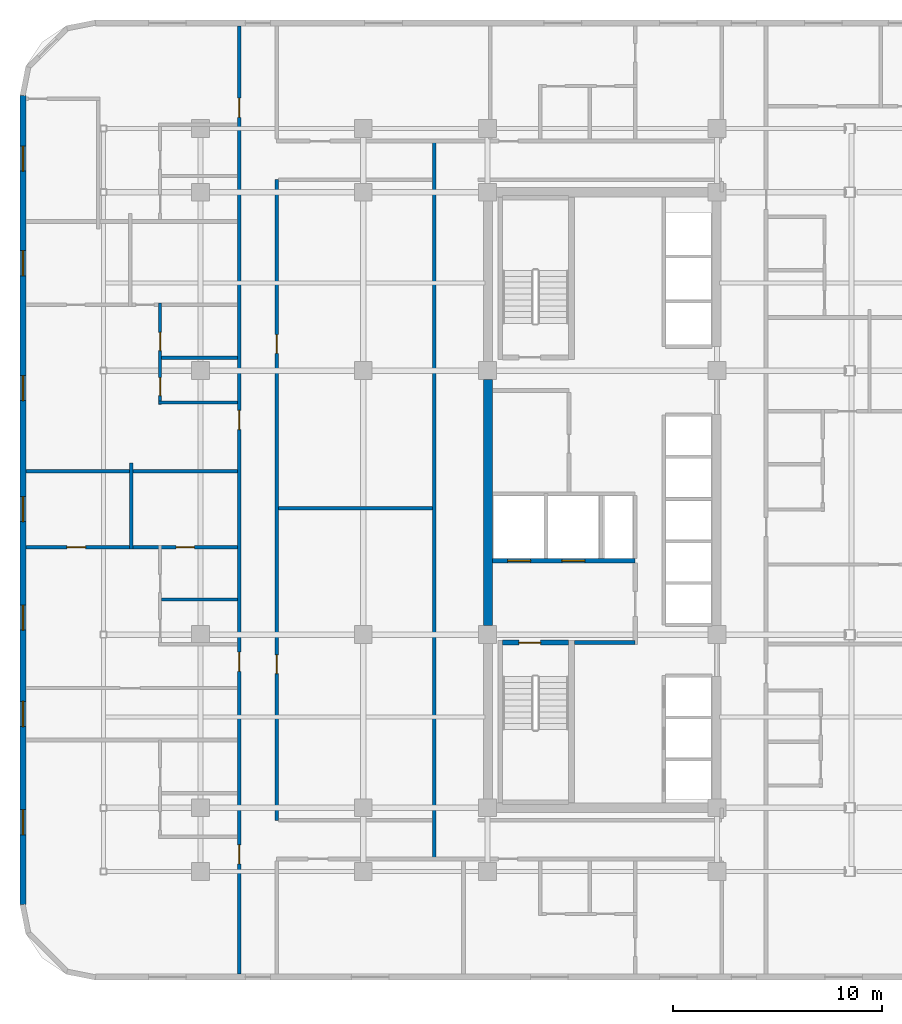
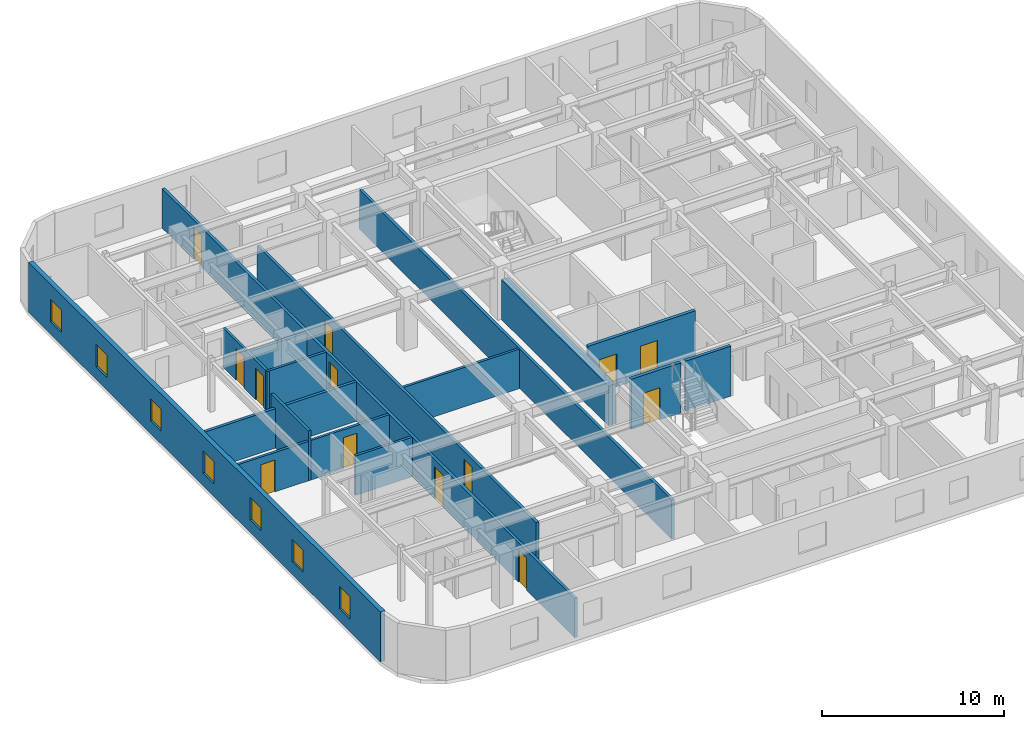
# One storey, part 7 of 12: 16 walls, 13 doors, 7 windows, 20 openings.
"""IFC4 building model written with IfcOpenShell, lengths in metres."""

import ifcopenshell
import ifcopenshell.guid

model = None  # the IFC model being written
_history = None  # IfcOwnerHistory: only IFC2X3 demands one
_inside = {}  # id of a spatial element -> (the spatial element, [elements in it])
_under = {}  # id of a project, library or spatial element -> (it, [spatial elements below it])
_declared = {}  # id of a project -> (the project, [libraries it declares])
_typed = {}  # id of a type object -> (the type object, [elements of that type])
_made_of = {}  # id of a material, layer set ... -> (it, [elements and type objects made of it])


def new_model(schema):
    """Start an empty IFC model of exactly this schema.

    Asked for "IFC4X3", IfcOpenShell would pick the latest addendum, in which some entities
    have other attributes; the version numbers below select the first issue.
    IFC2X3 requires an IfcOwnerHistory on every rooted entity: one is made here for all.
    """
    global model, _history
    if schema == "IFC4X3":
        model = ifcopenshell.file(schema_version=(4, 3, 0, 0))
    else:
        model = ifcopenshell.file(schema=schema)
    _inside.clear()
    _under.clear()
    _declared.clear()
    _typed.clear()
    _made_of.clear()
    _history = None
    if model.schema == "IFC2X3":
        org = make("IfcOrganization", Name="unknown")
        user = make(
            "IfcPersonAndOrganization",
            ThePerson=make("IfcPerson", FamilyName="unknown"),
            TheOrganization=org,
        )
        app = make(
            "IfcApplication",
            ApplicationDeveloper=org,
            Version="unknown",
            ApplicationFullName="unknown",
            ApplicationIdentifier="unknown",
        )
        _history = make(
            "IfcOwnerHistory",
            OwningUser=user,
            OwningApplication=app,
            ChangeAction="ADDED",
            CreationDate=0,
        )
    return model


def make(cls, **values):
    """One entity of the class cls with the attributes given. An attribute that is None is left unset."""
    return model.create_entity(
        cls, **{name: value for name, value in values.items() if value is not None}
    )


def rooted(cls, **values):
    """An entity with a GlobalId (a new one), such as an element, a storey or a relation."""
    return make(cls, GlobalId=ifcopenshell.guid.new(), OwnerHistory=_history, **values)


def si_unit(unit_type, name, prefix=None):
    """IfcSIUnit, for example si_unit("LENGTHUNIT", "METRE", prefix="MILLI")."""
    return make("IfcSIUnit", UnitType=unit_type, Prefix=prefix, Name=name)


def assignment(units):
    """IfcUnitAssignment: the units of a project."""
    return None if units is None else make("IfcUnitAssignment", Units=units)


def point(xyz):
    """IfcCartesianPoint."""
    return None if xyz is None else make("IfcCartesianPoint", Coordinates=xyz)


def direction(xyz):
    """IfcDirection."""
    return None if xyz is None else make("IfcDirection", DirectionRatios=xyz)


def frame(location, z_axis=None, x_axis=None):
    """IfcAxis2Placement3D, a coordinate frame: its origin and axes. An axis left out is left unset."""
    return make(
        "IfcAxis2Placement3D",
        Location=point(location),
        Axis=direction(z_axis),
        RefDirection=direction(x_axis),
    )


def frame_2d(location, x_axis=None):
    """IfcAxis2Placement2D, a coordinate frame in the plane: its origin and x axis."""
    return make(
        "IfcAxis2Placement2D", Location=point(location), RefDirection=direction(x_axis)
    )


def origin():
    """The frame at (0, 0, 0) with its axes left unset."""
    return frame((0.0, 0.0, 0.0))


def place(relative_to, where):
    """IfcLocalPlacement: puts the frame where relative to a parent placement (None: the world)."""
    return make(
        "IfcLocalPlacement", PlacementRelTo=relative_to, RelativePlacement=where
    )


def context(
    kind, dimensions, precision=None, world=None, true_north=None, identifier=None
):
    """IfcGeometricRepresentationContext, for example the 3D "Model" context."""
    return make(
        "IfcGeometricRepresentationContext",
        ContextIdentifier=identifier,
        ContextType=kind,
        CoordinateSpaceDimension=dimensions,
        Precision=precision,
        WorldCoordinateSystem=world,
        TrueNorth=true_north,
    )


def subcontext(parent, identifier, kind, view, scale=None):
    """IfcGeometricRepresentationSubContext, for example "Body" below "Model"."""
    return make(
        "IfcGeometricRepresentationSubContext",
        ContextIdentifier=identifier,
        ContextType=kind,
        ParentContext=parent,
        TargetScale=scale,
        TargetView=view,
    )


def project(units=None, contexts=None):
    """IfcProject with its units and contexts."""
    return rooted(
        "IfcProject",
        Name="project",
        RepresentationContexts=contexts,
        UnitsInContext=assignment(units),
    )


def spatial(cls, under=None, at=None, **own):
    """A site, building, storey or space (cls), placed at a placement, below another one or the project."""
    s = rooted(cls, ObjectPlacement=at, **own)
    if under is not None:
        _under.setdefault(under.id(), (under, []))[1].append(s)
    return s


def profile(cls, at=None, kind="AREA", **sizes):
    """A parametric profile (cls). Its sizes go by their IFC names, for example OverallWidth=200.0."""
    return make(cls, ProfileType=kind, Position=at, **sizes)


def rectangle(**sizes):
    """IfcRectangleProfileDef."""
    return profile("IfcRectangleProfileDef", **sizes)


def extrude(swept, where, along, depth):
    """IfcExtrudedAreaSolid: the profile swept, set in the frame where, extruded along a direction by depth."""
    return make(
        "IfcExtrudedAreaSolid",
        SweptArea=swept,
        Position=where,
        ExtrudedDirection=direction(along),
        Depth=depth,
    )


def shape(context_of_items, identifier, shape_type, items):
    """IfcShapeRepresentation: the items that make up one representation, for example the "Body"."""
    return make(
        "IfcShapeRepresentation",
        ContextOfItems=context_of_items,
        RepresentationIdentifier=identifier,
        RepresentationType=shape_type,
        Items=items,
    )


def material(Name=None, Category=None):
    """IfcMaterial."""
    return make("IfcMaterial", Name=Name, Category=Category)


def layer(
    of_material, thickness, ventilated=None, Name=None, Category=None, Priority=None
):
    """IfcMaterialLayer: one layer of a wall or slab, of a material (None: an air gap)."""
    return make(
        "IfcMaterialLayer",
        Material=of_material,
        LayerThickness=thickness,
        IsVentilated=ventilated,
        Name=Name,
        Category=Category,
        Priority=Priority,
    )


def layer_set(layers, Name=None):
    """IfcMaterialLayerSet."""
    return make("IfcMaterialLayerSet", MaterialLayers=layers, LayerSetName=Name)


def made_of(thing, what):
    """Note that an element or type object is made of a material, layer set ...; save() writes the relation."""
    if what is not None:
        _made_of.setdefault(what.id(), (what, []))[1].append(thing)
    return thing


def type_object(cls, material=None, **own):
    """A type object (cls), such as IfcWallType, which elements share."""
    return made_of(rooted(cls, **own), material)


def element(
    cls,
    number,
    at=None,
    inside=None,
    cuts=None,
    type_object=None,
    material=None,
    context=None,
    identifier="Body",
    shape_type=None,
    held_by="IfcProductDefinitionShape",
    body=None,
    shapes=None,
    **own,
):
    """One element of the class cls, such as IfcWall. Its Tag is "e" and its number.

    at: its placement. inside: the storey or other place that contains it. cuts: it is an
    opening in that element (IfcRelVoidsElement). A single representation is given by context,
    identifier, shape_type and body (its items); several are given by shapes. held_by: the class
    of the entity that holds the representations. save() writes the other relations.
    """
    e = rooted(cls, Tag="e%d" % number, ObjectPlacement=at, **own)
    if body is not None:
        shapes = [shape(context, identifier, shape_type, body)]
    if shapes is not None:
        e.Representation = make(held_by, Representations=shapes)
    if inside is not None:
        _inside.setdefault(inside.id(), (inside, []))[1].append(e)
    if cuts is not None:
        rooted(
            "IfcRelVoidsElement", RelatingBuildingElement=cuts, RelatedOpeningElement=e
        )
    if type_object is not None:
        _typed.setdefault(type_object.id(), (type_object, []))[1].append(e)
    return made_of(e, material)


def fill(opening, filler):
    """IfcRelFillsElement: the door or window that sits in an opening."""
    return rooted(
        "IfcRelFillsElement",
        RelatingOpeningElement=opening,
        RelatedBuildingElement=filler,
    )


def aggregate(whole, parts):
    """IfcRelAggregates: a whole, such as a stair, and the parts it consists of."""
    return rooted("IfcRelAggregates", RelatingObject=whole, RelatedObjects=parts)


def save(model, path):
    """Write the relations noted so far, then the file.

    IfcRelAggregates (storeys below a building ...), IfcRelContainedInSpatialStructure (elements
    in a storey), IfcRelDefinesByType, IfcRelAssociatesMaterial and IfcRelDeclares: one each for
    every whole, place, type object, material and project.
    """
    for whole, parts in _under.values():
        aggregate(whole, parts)
    for where, things in _inside.values():
        rooted(
            "IfcRelContainedInSpatialStructure",
            RelatedElements=things,
            RelatingStructure=where,
        )
    for kind, things in _typed.values():
        rooted("IfcRelDefinesByType", RelatedObjects=things, RelatingType=kind)
    for what, things in _made_of.values():
        rooted("IfcRelAssociatesMaterial", RelatedObjects=things, RelatingMaterial=what)
    for by, libraries in _declared.values():
        rooted("IfcRelDeclares", RelatingContext=by, RelatedDefinitions=libraries)
    model.write(path)


model = new_model("IFC4")

# Units and contexts
model_context = context("Model", 3, precision=1e-05, world=origin(), true_north=direction((0.0, 1.0)))
body_context = subcontext(model_context, "Body", "Model", "MODEL_VIEW")
ifc_project = project(units=[si_unit("LENGTHUNIT", "METRE"), si_unit("AREAUNIT", "SQUARE_METRE"), si_unit("VOLUMEUNIT", "CUBIC_METRE"), si_unit("PLANEANGLEUNIT", "RADIAN"), si_unit("MASSUNIT", "GRAM", prefix="KILO")], contexts=[model_context])

# Site, building, storey
site_placement = place(None, origin())
site = spatial("IfcSite", under=ifc_project, at=site_placement, CompositionType="ELEMENT")
building_placement = place(site_placement, origin())
building = spatial("IfcBuilding", under=site, at=building_placement, Name="Ochreholt Gables", CompositionType="ELEMENT")
storey_placement = place(building_placement, frame((0.0, 0.0, 45.60009765625)))
storey = spatial("IfcBuildingStorey", under=building, at=storey_placement, Name="L11", CompositionType="ELEMENT", Elevation=45.60009765625)

# Wall
ifc_material_1 = material(Name="Concrete 60 MPa", Category="concrete")
ifc_layer_1 = layer(ifc_material_1, 0.449951171875, Name="Concrete 60 MPa")
ifc_layer_set_1 = layer_set([ifc_layer_1], Name="Concrete 60 MPa")
wall_type_1 = type_object("IfcWallType", Name="WALL-CSW-450", PredefinedType="SHEAR", material=ifc_layer_set_1)
wall_1_placement = place(storey_placement, frame((24.22509765625, 17.97509765625, 0.0), z_axis=(0.0, 0.0, 1.0), x_axis=(0.0, 1.0, 0.0)))
element("IfcWall", 1, at=wall_1_placement, inside=storey, type_object=wall_type_1, Name="L11 Core West Shear Wall WM", PredefinedType="SHEAR", context=body_context, shape_type="SweptSolid", body=[
    extrude(rectangle(XDim=11.7998046875, YDim=0.449951171875, at=frame_2d((5.89990234375, 0.0))), origin(), (0.0, 0.0, 1.0), 2.6669921875),
])

# Wall, openings, windows
ifc_material_2 = material(Name="Precast concrete 40 MPa", Category="concrete")
ifc_layer_2 = layer(ifc_material_2, 0.2900390625, Name="Precast concrete 40 MPa")
ifc_layer_set_2 = layer_set([ifc_layer_2], Name="Precast concrete 40 MPa")
wall_type_2 = type_object("IfcWallType", Name="WALL-EXT-290", PredefinedType="SOLIDWALL", material=ifc_layer_set_2)
wall_2_placement = place(storey_placement, frame((1.945068359375, 43.3798828125, 0.0), z_axis=(0.0, 0.0, 1.0), x_axis=(0.0, -1.0, 0.0)))
wall_2 = element("IfcWall", 2, at=wall_2_placement, inside=storey, type_object=wall_type_2, Name="L11 West Exterior Wall", PredefinedType="SOLIDWALL", context=body_context, shape_type="SweptSolid", body=[
    extrude(rectangle(XDim=38.759765625, YDim=0.2900390625, at=frame_2d((19.3798828125, 0.0))), origin(), (0.0, 0.0, 1.0), 3.35986328125),
])
opening_1_placement = place(wall_2_placement, frame((34.219970703125, 0.0, 0.85009765625)))
opening_1 = element("IfcOpeningElement", 3, at=opening_1_placement, cuts=wall_2, Name="Opening WN-3", PredefinedType="OPENING", context=body_context, shape_type="SweptSolid", body=[
    extrude(rectangle(XDim=1.199951171875, YDim=1.5, at=frame_2d((0.60009765625, 0.75))), frame((0.0, 0.155029296875, 0.0), z_axis=(0.0, -1.0, 0.0), x_axis=(1.0, 0.0, 0.0)), (0.0, 0.0, 1.0), 0.31005859375),
])
opening_2_placement = place(wall_2_placement, frame((29.034912109375, 0.0, 0.85009765625)))
opening_2 = element("IfcOpeningElement", 4, at=opening_2_placement, cuts=wall_2, Name="Opening WN-3", PredefinedType="OPENING", context=body_context, shape_type="SweptSolid", body=[
    extrude(rectangle(XDim=1.199951171875, YDim=1.5, at=frame_2d((0.60009765625, 0.75))), frame((0.0, 0.155029296875, 0.0), z_axis=(0.0, -1.0, 0.0), x_axis=(1.0, 0.0, 0.0)), (0.0, 0.0, 1.0), 0.31005859375),
])
opening_3_placement = place(wall_2_placement, frame((24.4150390625, 0.0, 0.85009765625)))
opening_3 = element("IfcOpeningElement", 5, at=opening_3_placement, cuts=wall_2, Name="Opening WN-3", PredefinedType="OPENING", context=body_context, shape_type="SweptSolid", body=[
    extrude(rectangle(XDim=1.199951171875, YDim=1.5, at=frame_2d((0.60009765625, 0.75))), frame((0.0, 0.155029296875, 0.0), z_axis=(0.0, -1.0, 0.0), x_axis=(1.0, 0.0, 0.0)), (0.0, 0.0, 1.0), 0.31005859375),
])
opening_4_placement = place(wall_2_placement, frame((19.219970703125, 0.0, 0.85009765625)))
opening_4 = element("IfcOpeningElement", 6, at=opening_4_placement, cuts=wall_2, Name="Opening WN-3", PredefinedType="OPENING", context=body_context, shape_type="SweptSolid", body=[
    extrude(rectangle(XDim=1.199951171875, YDim=1.5, at=frame_2d((0.60009765625, 0.75))), frame((0.0, 0.155029296875, 0.0), z_axis=(0.0, -1.0, 0.0), x_axis=(1.0, 0.0, 0.0)), (0.0, 0.0, 1.0), 0.31005859375),
])
opening_5_placement = place(wall_2_placement, frame((13.4150390625, 0.0, 0.85009765625)))
opening_5 = element("IfcOpeningElement", 7, at=opening_5_placement, cuts=wall_2, Name="Opening WN-3", PredefinedType="OPENING", context=body_context, shape_type="SweptSolid", body=[
    extrude(rectangle(XDim=1.199951171875, YDim=1.5, at=frame_2d((0.60009765625, 0.75))), frame((0.0, 0.155029296875, 0.0), z_axis=(0.0, -1.0, 0.0), x_axis=(1.0, 0.0, 0.0)), (0.0, 0.0, 1.0), 0.31005859375),
])
opening_6_placement = place(wall_2_placement, frame((7.43505859375, 0.0, 0.85009765625)))
opening_6 = element("IfcOpeningElement", 8, at=opening_6_placement, cuts=wall_2, Name="Opening WN-3", PredefinedType="OPENING", context=body_context, shape_type="SweptSolid", body=[
    extrude(rectangle(XDim=1.199951171875, YDim=1.5, at=frame_2d((0.60009765625, 0.75))), frame((0.0, 0.155029296875, 0.0), z_axis=(0.0, -1.0, 0.0), x_axis=(1.0, 0.0, 0.0)), (0.0, 0.0, 1.0), 0.31005859375),
])
opening_7_placement = place(wall_2_placement, frame((2.419921875, 0.0, 0.85009765625)))
opening_7 = element("IfcOpeningElement", 9, at=opening_7_placement, cuts=wall_2, Name="Opening WN-3", PredefinedType="OPENING", context=body_context, shape_type="SweptSolid", body=[
    extrude(rectangle(XDim=1.199951171875, YDim=1.5, at=frame_2d((0.60009765625, 0.75))), frame((0.0, 0.155029296875, 0.0), z_axis=(0.0, -1.0, 0.0), x_axis=(1.0, 0.0, 0.0)), (0.0, 0.0, 1.0), 0.31005859375),
])
ifc_material_3 = material(Name="Triple-Glazed Thermally Broken Aluminium Window", Category="aluminium")
window_type = type_object("IfcWindowType", Name="WIN-RES-1200", PartitioningType="SINGLE_PANEL", PredefinedType="WINDOW", material=ifc_material_3)
window_1_placement = place(opening_1_placement, origin())
window_1 = element("IfcWindow", 10, at=window_1_placement, inside=storey, type_object=window_type, Name="L11 Window W-EXT-W-L11-1", OverallHeight=1.5, OverallWidth=1.199951171875, PartitioningType="SINGLE_PANEL", PredefinedType="WINDOW", context=body_context, shape_type="SweptSolid", body=[
    extrude(rectangle(XDim=1.199951171875, YDim=1.5, at=frame_2d((0.60009765625, 0.75))), frame((0.0, 0.030029296875, 0.0), z_axis=(0.0, -1.0, 0.0), x_axis=(1.0, 0.0, 0.0)), (0.0, 0.0, 1.0), 0.06005859375),
])
fill(opening_1, window_1)
window_2_placement = place(opening_2_placement, origin())
window_2 = element("IfcWindow", 11, at=window_2_placement, inside=storey, type_object=window_type, Name="L11 Window W-EXT-W-L11-2", OverallHeight=1.5, OverallWidth=1.199951171875, PartitioningType="SINGLE_PANEL", PredefinedType="WINDOW", context=body_context, shape_type="SweptSolid", body=[
    extrude(rectangle(XDim=1.199951171875, YDim=1.5, at=frame_2d((0.60009765625, 0.75))), frame((0.0, 0.030029296875, 0.0), z_axis=(0.0, -1.0, 0.0), x_axis=(1.0, 0.0, 0.0)), (0.0, 0.0, 1.0), 0.06005859375),
])
fill(opening_2, window_2)
window_3_placement = place(opening_3_placement, origin())
window_3 = element("IfcWindow", 12, at=window_3_placement, inside=storey, type_object=window_type, Name="L11 Window W-EXT-W-L11-3", OverallHeight=1.5, OverallWidth=1.199951171875, PartitioningType="SINGLE_PANEL", PredefinedType="WINDOW", context=body_context, shape_type="SweptSolid", body=[
    extrude(rectangle(XDim=1.199951171875, YDim=1.5, at=frame_2d((0.60009765625, 0.75))), frame((0.0, 0.030029296875, 0.0), z_axis=(0.0, -1.0, 0.0), x_axis=(1.0, 0.0, 0.0)), (0.0, 0.0, 1.0), 0.06005859375),
])
fill(opening_3, window_3)
window_4_placement = place(opening_4_placement, origin())
window_4 = element("IfcWindow", 13, at=window_4_placement, inside=storey, type_object=window_type, Name="L11 Window W-EXT-W-L11-4", OverallHeight=1.5, OverallWidth=1.199951171875, PartitioningType="SINGLE_PANEL", PredefinedType="WINDOW", context=body_context, shape_type="SweptSolid", body=[
    extrude(rectangle(XDim=1.199951171875, YDim=1.5, at=frame_2d((0.60009765625, 0.75))), frame((0.0, 0.030029296875, 0.0), z_axis=(0.0, -1.0, 0.0), x_axis=(1.0, 0.0, 0.0)), (0.0, 0.0, 1.0), 0.06005859375),
])
fill(opening_4, window_4)
window_5_placement = place(opening_5_placement, origin())
window_5 = element("IfcWindow", 14, at=window_5_placement, inside=storey, type_object=window_type, Name="L11 Window W-EXT-W-L11-5", OverallHeight=1.5, OverallWidth=1.199951171875, PartitioningType="SINGLE_PANEL", PredefinedType="WINDOW", context=body_context, shape_type="SweptSolid", body=[
    extrude(rectangle(XDim=1.199951171875, YDim=1.5, at=frame_2d((0.60009765625, 0.75))), frame((0.0, 0.030029296875, 0.0), z_axis=(0.0, -1.0, 0.0), x_axis=(1.0, 0.0, 0.0)), (0.0, 0.0, 1.0), 0.06005859375),
])
fill(opening_5, window_5)
window_6_placement = place(opening_6_placement, origin())
window_6 = element("IfcWindow", 15, at=window_6_placement, inside=storey, type_object=window_type, Name="L11 Window W-EXT-W-L11-6", OverallHeight=1.5, OverallWidth=1.199951171875, PartitioningType="SINGLE_PANEL", PredefinedType="WINDOW", context=body_context, shape_type="SweptSolid", body=[
    extrude(rectangle(XDim=1.199951171875, YDim=1.5, at=frame_2d((0.60009765625, 0.75))), frame((0.0, 0.030029296875, 0.0), z_axis=(0.0, -1.0, 0.0), x_axis=(1.0, 0.0, 0.0)), (0.0, 0.0, 1.0), 0.06005859375),
])
fill(opening_6, window_6)
window_7_placement = place(opening_7_placement, origin())
window_7 = element("IfcWindow", 16, at=window_7_placement, inside=storey, type_object=window_type, Name="L11 Window W-EXT-W-L11-7", OverallHeight=1.5, OverallWidth=1.199951171875, PartitioningType="SINGLE_PANEL", PredefinedType="WINDOW", context=body_context, shape_type="SweptSolid", body=[
    extrude(rectangle(XDim=1.199951171875, YDim=1.5, at=frame_2d((0.60009765625, 0.75))), frame((0.0, 0.030029296875, 0.0), z_axis=(0.0, -1.0, 0.0), x_axis=(1.0, 0.0, 0.0)), (0.0, 0.0, 1.0), 0.06005859375),
])
fill(opening_7, window_7)

# Wall, openings, doors
ifc_material_4 = material(Name="Concrete 40 MPa", Category="concrete")
ifc_layer_3 = layer(ifc_material_4, 0.199951171875, Name="Concrete 40 MPa")
ifc_layer_set_3 = layer_set([ifc_layer_3], Name="Concrete 40 MPa")
wall_type_3 = type_object("IfcWallType", Name="WALL-INT-CF200", PredefinedType="STANDARD", material=ifc_layer_set_3)
wall_3_placement = place(storey_placement, frame((24.449951171875, 21.090087890625, 0.0), z_axis=(0.0, 0.0, 1.0), x_axis=(1.0, 0.0, 0.0)))
wall_3 = element("IfcWall", 17, at=wall_3_placement, inside=storey, type_object=wall_type_3, Name="L11 Interior Wall WI-FFN-L11", PredefinedType="STANDARD", context=body_context, shape_type="SweptSolid", body=[
    extrude(rectangle(XDim=6.830078125, YDim=0.199951171875, at=frame_2d((3.4150390625, 0.0))), origin(), (0.0, 0.0, 1.0), 3.35986328125),
])
opening_8_placement = place(wall_3_placement, frame((0.719970703125, 0.0, 0.0)))
opening_8 = element("IfcOpeningElement", 18, at=opening_8_placement, cuts=wall_3, Name="Opening LD-FF", PredefinedType="OPENING", context=body_context, shape_type="SweptSolid", body=[
    extrude(rectangle(XDim=1.10009765625, YDim=2.199951171875, at=frame_2d((0.550048828125, 1.10009765625))), frame((0.0, 0.10986328125, 0.0), z_axis=(0.0, -1.0, 0.0), x_axis=(1.0, 0.0, 0.0)), (0.0, 0.0, 1.0), 0.219970703125),
])
opening_9_placement = place(wall_3_placement, frame((3.320068359375, 0.0, 0.0)))
opening_9 = element("IfcOpeningElement", 19, at=opening_9_placement, cuts=wall_3, Name="Opening LD-FF", PredefinedType="OPENING", context=body_context, shape_type="SweptSolid", body=[
    extrude(rectangle(XDim=1.10009765625, YDim=2.199951171875, at=frame_2d((0.550048828125, 1.10009765625))), frame((0.0, 0.10986328125, 0.0), z_axis=(0.0, -1.0, 0.0), x_axis=(1.0, 0.0, 0.0)), (0.0, 0.0, 1.0), 0.219970703125),
])
ifc_material_5 = material(Name="Stainless Steel", Category="steel")
door_type_1 = type_object("IfcDoorType", Name="DR-LFT-FF1100", OperationType="NOTDEFINED", PredefinedType="DOOR", material=ifc_material_5)
door_1_placement = place(opening_8_placement, origin())
door_1 = element("IfcDoor", 20, at=door_1_placement, inside=storey, type_object=door_type_1, Name="L11 Door LD-FF1-L11", OperationType="SLIDING_TO_LEFT", OverallHeight=2.199951171875, OverallWidth=1.10009765625, PredefinedType="DOOR", context=body_context, shape_type="SweptSolid", body=[
    extrude(rectangle(XDim=1.10009765625, YDim=2.199951171875, at=frame_2d((0.550048828125, 1.10009765625))), frame((0.0, 0.02490234375, 0.0), z_axis=(0.0, -1.0, 0.0), x_axis=(1.0, 0.0, 0.0)), (0.0, 0.0, 1.0), 0.050048828125),
])
fill(opening_8, door_1)
door_2_placement = place(opening_9_placement, origin())
door_2 = element("IfcDoor", 21, at=door_2_placement, inside=storey, type_object=door_type_1, Name="L11 Door LD-FF2-L11", OperationType="SLIDING_TO_LEFT", OverallHeight=2.199951171875, OverallWidth=1.10009765625, PredefinedType="DOOR", context=body_context, shape_type="SweptSolid", body=[
    extrude(rectangle(XDim=1.10009765625, YDim=2.199951171875, at=frame_2d((0.550048828125, 1.10009765625))), frame((0.0, 0.02490234375, 0.0), z_axis=(0.0, -1.0, 0.0), x_axis=(1.0, 0.0, 0.0)), (0.0, 0.0, 1.0), 0.050048828125),
])
fill(opening_9, door_2)

# Walls
wall_4_placement = place(storey_placement, frame((28.3798828125, 17.169921875, 0.0), z_axis=(0.0, 0.0, 1.0), x_axis=(1.0, 0.0, 0.0)))
element("IfcWall", 22, at=wall_4_placement, inside=storey, type_object=wall_type_3, Name="L11 Interior Wall WI-FFS-L11", PredefinedType="STANDARD", context=body_context, shape_type="SweptSolid", body=[
    extrude(rectangle(XDim=2.900146484375, YDim=0.199951171875, at=frame_2d((1.4501953125, 0.0))), origin(), (0.0, 0.0, 1.0), 3.35986328125),
])
ifc_material_6 = material(Name="Fire-Rated Gypsum Acoustic Partition", Category="gypsum")
ifc_layer_4 = layer(ifc_material_6, 0.179931640625, Name="Fire-Rated Gypsum Acoustic Partition")
ifc_layer_set_4 = layer_set([ifc_layer_4], Name="Fire-Rated Gypsum Acoustic Partition")
wall_type_4 = type_object("IfcWallType", Name="WALL-INT-CR180", PredefinedType="STANDARD", material=ifc_layer_set_4)
wall_5_placement = place(storey_placement, frame((21.64990234375, 6.800048828125, 0.0), z_axis=(0.0, 0.0, 1.0), x_axis=(0.0, 1.0, 0.0)))
element("IfcWall", 23, at=wall_5_placement, inside=storey, type_object=wall_type_4, Name="L11 Interior Wall WI-C1W-L11", PredefinedType="STANDARD", context=body_context, shape_type="SweptSolid", body=[
    extrude(rectangle(XDim=34.39990234375, YDim=0.179931640625, at=frame_2d((17.199951171875, 0.0))), origin(), (0.0, 0.0, 1.0), 2.64892578125),
])

# Wall, openings, doors
wall_6_placement = place(storey_placement, frame((12.300048828125, 1.2900390625, 0.0), z_axis=(0.0, 0.0, 1.0), x_axis=(0.0, 1.0, 0.0)))
wall_6 = element("IfcWall", 24, at=wall_6_placement, inside=storey, type_object=wall_type_4, Name="L11 Interior Wall WI-C1WW-L11", PredefinedType="STANDARD", context=body_context, shape_type="SweptSolid", body=[
    extrude(rectangle(XDim=45.419921875, YDim=0.179931640625, at=frame_2d((22.7099609375, 0.0))), origin(), (0.0, 0.0, 1.0), 2.64892578125),
])
opening_10_placement = place(wall_6_placement, frame((5.27001953125, 0.0, 0.0)))
opening_10 = element("IfcOpeningElement", 25, at=opening_10_placement, cuts=wall_6, Name="Opening D-UN1", PredefinedType="OPENING", context=body_context, shape_type="SweptSolid", body=[
    extrude(rectangle(XDim=0.919921875, YDim=2.14990234375, at=frame_2d((0.4599609375, 1.074951171875))), frame((0.0, 0.099853515625, 0.0), z_axis=(0.0, -1.0, 0.0), x_axis=(1.0, 0.0, 0.0)), (0.0, 0.0, 1.0), 0.199951171875),
])
opening_11_placement = place(wall_6_placement, frame((14.5, 0.0, 0.0)))
opening_11 = element("IfcOpeningElement", 26, at=opening_11_placement, cuts=wall_6, Name="Opening D-UN1", PredefinedType="OPENING", context=body_context, shape_type="SweptSolid", body=[
    extrude(rectangle(XDim=0.919921875, YDim=2.14990234375, at=frame_2d((0.4599609375, 1.074951171875))), frame((0.0, 0.099853515625, 0.0), z_axis=(0.0, -1.0, 0.0), x_axis=(1.0, 0.0, 0.0)), (0.0, 0.0, 1.0), 0.199951171875),
])
opening_12_placement = place(wall_6_placement, frame((26.08154296875, 0.0, 0.0)))
opening_12 = element("IfcOpeningElement", 27, at=opening_12_placement, cuts=wall_6, Name="Opening D-UN1", PredefinedType="OPENING", context=body_context, shape_type="SweptSolid", body=[
    extrude(rectangle(XDim=0.919921875, YDim=2.14990234375, at=frame_2d((0.4599609375, 1.074951171875))), frame((0.0, 0.099853515625, 0.0), z_axis=(0.0, -1.0, 0.0), x_axis=(1.0, 0.0, 0.0)), (0.0, 0.0, 1.0), 0.199951171875),
])
opening_13_placement = place(wall_6_placement, frame((41.050048828125, 0.0, 0.0)))
opening_13 = element("IfcOpeningElement", 28, at=opening_13_placement, cuts=wall_6, Name="Opening D-UN1", PredefinedType="OPENING", context=body_context, shape_type="SweptSolid", body=[
    extrude(rectangle(XDim=0.919921875, YDim=2.14990234375, at=frame_2d((0.4599609375, 1.074951171875))), frame((0.0, 0.099853515625, 0.0), z_axis=(0.0, -1.0, 0.0), x_axis=(1.0, 0.0, 0.0)), (0.0, 0.0, 1.0), 0.199951171875),
])
ifc_material_7 = material(Name="Engineered Oak Timber", Category="wood")
door_type_2 = type_object("IfcDoorType", Name="DR-INT-UNT920", OperationType="NOTDEFINED", PredefinedType="DOOR", material=ifc_material_7)
door_3_placement = place(opening_10_placement, origin())
door_3 = element("IfcDoor", 29, at=door_3_placement, inside=storey, type_object=door_type_2, Name="L11 Door D-U-L11W1-ENT", OperationType="SINGLE_SWING_LEFT", OverallHeight=2.14990234375, OverallWidth=0.919921875, PredefinedType="DOOR", context=body_context, shape_type="SweptSolid", body=[
    extrude(rectangle(XDim=0.919921875, YDim=2.14990234375, at=frame_2d((0.4599609375, 1.074951171875))), frame((0.0, 0.02490234375, 0.0), z_axis=(0.0, -1.0, 0.0), x_axis=(1.0, 0.0, 0.0)), (0.0, 0.0, 1.0), 0.050048828125),
])
fill(opening_10, door_3)
door_4_placement = place(opening_11_placement, origin())
door_4 = element("IfcDoor", 30, at=door_4_placement, inside=storey, type_object=door_type_2, Name="L11 Door D-U-L11W2-ENT", OperationType="SINGLE_SWING_RIGHT", OverallHeight=2.14990234375, OverallWidth=0.919921875, PredefinedType="DOOR", context=body_context, shape_type="SweptSolid", body=[
    extrude(rectangle(XDim=0.919921875, YDim=2.14990234375, at=frame_2d((0.4599609375, 1.074951171875))), frame((0.0, 0.02490234375, 0.0), z_axis=(0.0, -1.0, 0.0), x_axis=(1.0, 0.0, 0.0)), (0.0, 0.0, 1.0), 0.050048828125),
])
fill(opening_11, door_4)
door_5_placement = place(opening_12_placement, origin())
door_5 = element("IfcDoor", 31, at=door_5_placement, inside=storey, type_object=door_type_2, Name="L11 Door D-U-L11W3-ENT", OperationType="SINGLE_SWING_LEFT", OverallHeight=2.14990234375, OverallWidth=0.919921875, PredefinedType="DOOR", context=body_context, shape_type="SweptSolid", body=[
    extrude(rectangle(XDim=0.919921875, YDim=2.14990234375, at=frame_2d((0.4599609375, 1.074951171875))), frame((0.0, 0.02490234375, 0.0), z_axis=(0.0, -1.0, 0.0), x_axis=(1.0, 0.0, 0.0)), (0.0, 0.0, 1.0), 0.050048828125),
])
fill(opening_12, door_5)
door_6_placement = place(opening_13_placement, origin())
door_6 = element("IfcDoor", 32, at=door_6_placement, inside=storey, type_object=door_type_2, Name="L11 Door D-U-L11W4-ENT", OperationType="SINGLE_SWING_RIGHT", OverallHeight=2.14990234375, OverallWidth=0.919921875, PredefinedType="DOOR", context=body_context, shape_type="SweptSolid", body=[
    extrude(rectangle(XDim=0.919921875, YDim=2.14990234375, at=frame_2d((0.4599609375, 1.074951171875))), frame((0.0, 0.02490234375, 0.0), z_axis=(0.0, -1.0, 0.0), x_axis=(1.0, 0.0, 0.0)), (0.0, 0.0, 1.0), 0.050048828125),
])
fill(opening_13, door_6)

wall_7_placement = place(storey_placement, frame((14.10009765625, 8.64990234375, 0.0), z_axis=(0.0, 0.0, 1.0), x_axis=(0.0, 1.0, 0.0)))
wall_7 = element("IfcWall", 33, at=wall_7_placement, inside=storey, type_object=wall_type_4, Name="L11 Interior Wall WI-C1WE-L11", PredefinedType="STANDARD", context=body_context, shape_type="SweptSolid", body=[
    extrude(rectangle(XDim=30.7001953125, YDim=0.179931640625, at=frame_2d((15.35009765625, 0.0))), origin(), (0.0, 0.0, 1.0), 2.64892578125),
])
opening_14_placement = place(wall_7_placement, frame((7.02490234375, 0.0, 0.0)))
opening_14 = element("IfcOpeningElement", 34, at=opening_14_placement, cuts=wall_7, Name="Opening D-SV1", PredefinedType="OPENING", context=body_context, shape_type="SweptSolid", body=[
    extrude(rectangle(XDim=0.89990234375, YDim=2.10009765625, at=frame_2d((0.449951171875, 1.050048828125))), frame((0.0, 0.099853515625, 0.0), z_axis=(0.0, -1.0, 0.0), x_axis=(1.0, 0.0, 0.0)), (0.0, 0.0, 1.0), 0.199951171875),
])
opening_15_placement = place(wall_7_placement, frame((22.375, 0.0, 0.0)))
opening_15 = element("IfcOpeningElement", 35, at=opening_15_placement, cuts=wall_7, Name="Opening D-SV1", PredefinedType="OPENING", context=body_context, shape_type="SweptSolid", body=[
    extrude(rectangle(XDim=0.89990234375, YDim=2.10009765625, at=frame_2d((0.449951171875, 1.050048828125))), frame((0.0, 0.099853515625, 0.0), z_axis=(0.0, -1.0, 0.0), x_axis=(1.0, 0.0, 0.0)), (0.0, 0.0, 1.0), 0.199951171875),
])
ifc_material_8 = material(Name="Hollow Metal Steel", Category="steel")
door_type_3 = type_object("IfcDoorType", Name="DR-INT-SRV900", OperationType="NOTDEFINED", PredefinedType="DOOR", material=ifc_material_8)
door_7_placement = place(opening_14_placement, origin())
door_7 = element("IfcDoor", 36, at=door_7_placement, inside=storey, type_object=door_type_3, Name="L11 Door D-C1IW1-L11", OperationType="SINGLE_SWING_LEFT", OverallHeight=2.10009765625, OverallWidth=0.89990234375, PredefinedType="DOOR", context=body_context, shape_type="SweptSolid", body=[
    extrude(rectangle(XDim=0.89990234375, YDim=2.10009765625, at=frame_2d((0.449951171875, 1.050048828125))), frame((0.0, 0.02490234375, 0.0), z_axis=(0.0, -1.0, 0.0), x_axis=(1.0, 0.0, 0.0)), (0.0, 0.0, 1.0), 0.050048828125),
])
fill(opening_14, door_7)
door_8_placement = place(opening_15_placement, origin())
door_8 = element("IfcDoor", 37, at=door_8_placement, inside=storey, type_object=door_type_3, Name="L11 Door D-C1IW2-L11", OperationType="SINGLE_SWING_RIGHT", OverallHeight=2.10009765625, OverallWidth=0.89990234375, PredefinedType="DOOR", context=body_context, shape_type="SweptSolid", body=[
    extrude(rectangle(XDim=0.89990234375, YDim=2.10009765625, at=frame_2d((0.449951171875, 1.050048828125))), frame((0.0, 0.02490234375, 0.0), z_axis=(0.0, -1.0, 0.0), x_axis=(1.0, 0.0, 0.0)), (0.0, 0.0, 1.0), 0.050048828125),
])
fill(opening_15, door_8)

# Walls
ifc_material_9 = material(Name="Double-Stud Acoustic Demising Wall", Category="gypsum")
ifc_layer_5 = layer(ifc_material_9, 0.179931640625, Name="Double-Stud Acoustic Demising Wall")
ifc_layer_set_5 = layer_set([ifc_layer_5], Name="Double-Stud Acoustic Demising Wall")
wall_type_5 = type_object("IfcWallType", Name="WALL-INT-DM180", PredefinedType="PARTITIONING", material=ifc_layer_set_5)
wall_8_placement = place(storey_placement, frame((2.090087890625, 25.3798828125, 0.0), z_axis=(0.0, 0.0, 1.0), x_axis=(1.0, 0.0, 0.0)))
element("IfcWall", 38, at=wall_8_placement, inside=storey, type_object=wall_type_5, Name="L11 Interior Wall WI-UDW3-L11", PredefinedType="PARTITIONING", context=body_context, shape_type="SweptSolid", body=[
    extrude(rectangle(XDim=10.119873046875, YDim=0.179931640625, at=frame_2d((5.06005859375, 0.0))), origin(), (0.0, 0.0, 1.0), 2.64892578125),
])
ifc_material_10 = material(Name="Moisture-Resistant Plumbing Chase Wall", Category="gypsum")
ifc_layer_6 = layer(ifc_material_10, 0.159912109375, Name="Moisture-Resistant Plumbing Chase Wall")
ifc_layer_set_6 = layer_set([ifc_layer_6], Name="Moisture-Resistant Plumbing Chase Wall")
wall_type_6 = type_object("IfcWallType", Name="WALL-INT-PL160", PredefinedType="PLUMBINGWALL", material=ifc_layer_set_6)
wall_9_placement = place(storey_placement, frame((8.590087890625, 19.22900390625, 0.0), z_axis=(0.0, 0.0, 1.0), x_axis=(1.0, 0.0, 0.0)))
element("IfcWall", 39, at=wall_9_placement, inside=storey, type_object=wall_type_6, Name="L11 Interior Wall WU-L11W2-WK", PredefinedType="PLUMBINGWALL", context=body_context, shape_type="SweptSolid", body=[
    extrude(rectangle(XDim=3.619873046875, YDim=0.159912109375, at=frame_2d((1.81005859375, 0.0))), origin(), (0.0, 0.0, 1.0), 2.64892578125),
])
wall_10_placement = place(storey_placement, frame((8.429931640625, 28.67138671875, 0.0), z_axis=(0.0, 0.0, 1.0), x_axis=(1.0, 0.0, 0.0)))
element("IfcWall", 40, at=wall_10_placement, inside=storey, type_object=wall_type_6, Name="L11 Interior Wall WU-L11W3-FYS", PredefinedType="PLUMBINGWALL", context=body_context, shape_type="SweptSolid", body=[
    extrude(rectangle(XDim=3.780029296875, YDim=0.159912109375, at=frame_2d((1.89013671875, 0.0))), origin(), (0.0, 0.0, 1.0), 2.64892578125),
])

# Wall, openings, doors
wall_11_placement = place(storey_placement, frame((8.510009765625, 28.58154296875, 0.0), z_axis=(0.0, 0.0, 1.0), x_axis=(0.0, 1.0, 0.0)))
wall_11 = element("IfcWall", 41, at=wall_11_placement, inside=storey, type_object=wall_type_6, Name="L11 Interior Wall WU-L11W3-WX", PredefinedType="PLUMBINGWALL", context=body_context, shape_type="SweptSolid", body=[
    extrude(rectangle(XDim=4.8583984375, YDim=0.159912109375, at=frame_2d((2.42919921875, 0.0))), origin(), (0.0, 0.0, 1.0), 2.64892578125),
])
opening_16_placement = place(wall_11_placement, frame((0.419921875, 0.0, 0.0)))
opening_16 = element("IfcOpeningElement", 42, at=opening_16_placement, cuts=wall_11, Name="Opening D-BT1", PredefinedType="OPENING", context=body_context, shape_type="SweptSolid", body=[
    extrude(rectangle(XDim=0.860107421875, YDim=2.1201171875, at=frame_2d((0.43017578125, 1.06005859375))), frame((0.0, 0.08984375, 0.0), z_axis=(0.0, -1.0, 0.0), x_axis=(1.0, 0.0, 0.0)), (0.0, 0.0, 1.0), 0.179931640625),
])
opening_17_placement = place(wall_11_placement, frame((2.572021484375, 0.0, 0.0)))
opening_17 = element("IfcOpeningElement", 43, at=opening_17_placement, cuts=wall_11, Name="Opening D-GN2", PredefinedType="OPENING", context=body_context, shape_type="SweptSolid", body=[
    extrude(rectangle(XDim=0.8798828125, YDim=2.1201171875, at=frame_2d((0.43994140625, 1.06005859375))), frame((0.0, 0.08984375, 0.0), z_axis=(0.0, -1.0, 0.0), x_axis=(1.0, 0.0, 0.0)), (0.0, 0.0, 1.0), 0.179931640625),
])
door_type_4 = type_object("IfcDoorType", Name="DR-INT-BTH860", OperationType="NOTDEFINED", PredefinedType="DOOR", material=ifc_material_7)
door_9_placement = place(opening_16_placement, origin())
door_9 = element("IfcDoor", 44, at=door_9_placement, inside=storey, type_object=door_type_4, Name="L11 Door D-U-L11W3-BTH", OperationType="SINGLE_SWING_RIGHT", OverallHeight=2.1201171875, OverallWidth=0.860107421875, PredefinedType="DOOR", context=body_context, shape_type="SweptSolid", body=[
    extrude(rectangle(XDim=0.860107421875, YDim=2.1201171875, at=frame_2d((0.43017578125, 1.06005859375))), frame((0.0, 0.02490234375, 0.0), z_axis=(0.0, -1.0, 0.0), x_axis=(1.0, 0.0, 0.0)), (0.0, 0.0, 1.0), 0.050048828125),
])
fill(opening_16, door_9)
door_type_5 = type_object("IfcDoorType", Name="DR-INT-GEN880", OperationType="NOTDEFINED", PredefinedType="DOOR", material=ifc_material_7)
door_10_placement = place(opening_17_placement, origin())
door_10 = element("IfcDoor", 45, at=door_10_placement, inside=storey, type_object=door_type_5, Name="L11 Door D-U-L11W3-KIT", OperationType="SINGLE_SWING_LEFT", OverallHeight=2.1201171875, OverallWidth=0.8798828125, PredefinedType="DOOR", context=body_context, shape_type="SweptSolid", body=[
    extrude(rectangle(XDim=0.8798828125, YDim=2.1201171875, at=frame_2d((0.43994140625, 1.06005859375))), frame((0.0, 0.02490234375, 0.0), z_axis=(0.0, -1.0, 0.0), x_axis=(1.0, 0.0, 0.0)), (0.0, 0.0, 1.0), 0.050048828125),
])
fill(opening_17, door_10)

# Wall
wall_12_placement = place(storey_placement, frame((8.590087890625, 30.823486328125, 0.0), z_axis=(0.0, 0.0, 1.0), x_axis=(1.0, 0.0, 0.0)))
element("IfcWall", 46, at=wall_12_placement, inside=storey, type_object=wall_type_6, Name="L11 Interior Wall WU-L11W3-WK", PredefinedType="PLUMBINGWALL", context=body_context, shape_type="SweptSolid", body=[
    extrude(rectangle(XDim=3.619873046875, YDim=0.159912109375, at=frame_2d((1.81005859375, 0.0))), origin(), (0.0, 0.0, 1.0), 2.64892578125),
])

# Wall, openings, doors
ifc_material_11 = material(Name="Gypsum Acoustic Stud Partition", Category="gypsum")
ifc_layer_7 = layer(ifc_material_11, 0.159912109375, Name="Gypsum Acoustic Stud Partition")
ifc_layer_set_7 = layer_set([ifc_layer_7], Name="Gypsum Acoustic Stud Partition")
wall_type_7 = type_object("IfcWallType", Name="WALL-INT-PT160", PredefinedType="PARTITIONING", material=ifc_layer_set_7)
wall_13_placement = place(storey_placement, frame((2.090087890625, 21.739990234375, 0.0), z_axis=(0.0, 0.0, 1.0), x_axis=(1.0, 0.0, 0.0)))
wall_13 = element("IfcWall", 47, at=wall_13_placement, inside=storey, type_object=wall_type_7, Name="L11 Interior Wall WU-L11W2-MN", PredefinedType="PARTITIONING", context=body_context, shape_type="SweptSolid", body=[
    extrude(rectangle(XDim=10.119873046875, YDim=0.159912109375, at=frame_2d((5.06005859375, 0.0))), origin(), (0.0, 0.0, 1.0), 2.64892578125),
])
opening_18_placement = place(wall_13_placement, frame((7.18505859375, 0.0, 0.0)))
opening_18 = element("IfcOpeningElement", 48, at=opening_18_placement, cuts=wall_13, Name="Opening D-GN2", PredefinedType="OPENING", context=body_context, shape_type="SweptSolid", body=[
    extrude(rectangle(XDim=0.8798828125, YDim=2.1201171875, at=frame_2d((0.43994140625, 1.06005859375))), frame((0.0, 0.08984375, 0.0), z_axis=(0.0, -1.0, 0.0), x_axis=(1.0, 0.0, 0.0)), (0.0, 0.0, 1.0), 0.179931640625),
])
opening_19_placement = place(wall_13_placement, frame((1.955078125, 0.0, 0.0)))
opening_19 = element("IfcOpeningElement", 49, at=opening_19_placement, cuts=wall_13, Name="Opening D-BD1", PredefinedType="OPENING", context=body_context, shape_type="SweptSolid", body=[
    extrude(rectangle(XDim=0.89990234375, YDim=2.139892578125, at=frame_2d((0.449951171875, 1.06982421875))), frame((0.0, 0.08984375, 0.0), z_axis=(0.0, -1.0, 0.0), x_axis=(1.0, 0.0, 0.0)), (0.0, 0.0, 1.0), 0.179931640625),
])
door_type_6 = type_object("IfcDoorType", Name="DR-INT-BED900", OperationType="NOTDEFINED", PredefinedType="DOOR", material=ifc_material_7)
door_11_placement = place(opening_19_placement, origin())
door_11 = element("IfcDoor", 50, at=door_11_placement, inside=storey, type_object=door_type_6, Name="L11 Door D-U-L11W2-BD1", OperationType="SINGLE_SWING_LEFT", OverallHeight=2.139892578125, OverallWidth=0.89990234375, PredefinedType="DOOR", context=body_context, shape_type="SweptSolid", body=[
    extrude(rectangle(XDim=0.89990234375, YDim=2.139892578125, at=frame_2d((0.449951171875, 1.06982421875))), frame((0.0, 0.02490234375, 0.0), z_axis=(0.0, -1.0, 0.0), x_axis=(1.0, 0.0, 0.0)), (0.0, 0.0, 1.0), 0.050048828125),
])
fill(opening_19, door_11)
door_12_placement = place(opening_18_placement, origin())
door_12 = element("IfcDoor", 51, at=door_12_placement, inside=storey, type_object=door_type_5, Name="L11 Door D-U-L11W2-STD", OperationType="SINGLE_SWING_RIGHT", OverallHeight=2.1201171875, OverallWidth=0.8798828125, PredefinedType="DOOR", context=body_context, shape_type="SweptSolid", body=[
    extrude(rectangle(XDim=0.8798828125, YDim=2.1201171875, at=frame_2d((0.43994140625, 1.06005859375))), frame((0.0, 0.02490234375, 0.0), z_axis=(0.0, -1.0, 0.0), x_axis=(1.0, 0.0, 0.0)), (0.0, 0.0, 1.0), 0.050048828125),
])
fill(opening_18, door_12)

# Walls
wall_14_placement = place(storey_placement, frame((7.1298828125, 21.659912109375, 0.0), z_axis=(0.0, 0.0, 1.0), x_axis=(0.0, 1.0, 0.0)))
element("IfcWall", 52, at=wall_14_placement, inside=storey, type_object=wall_type_7, Name="L11 Interior Wall WU-L11W2-BSD", PredefinedType="PARTITIONING", context=body_context, shape_type="SweptSolid", body=[
    extrude(rectangle(XDim=4.110107421875, YDim=0.159912109375, at=frame_2d((2.05517578125, 0.0))), origin(), (0.0, 0.0, 1.0), 3.35986328125),
])
wall_15_placement = place(storey_placement, frame((14.18994140625, 23.60009765625, 0.0), z_axis=(0.0, 0.0, 1.0), x_axis=(1.0, 0.0, 0.0)))
element("IfcWall", 53, at=wall_15_placement, inside=storey, type_object=wall_type_7, Name="L11 Interior Wall WI-UDWI1-L11", PredefinedType="PARTITIONING", context=body_context, shape_type="SweptSolid", body=[
    extrude(rectangle(XDim=7.3701171875, YDim=0.159912109375, at=frame_2d((3.68505859375, 0.0))), origin(), (0.0, 0.0, 1.0), 2.64892578125),
])

# Wall, opening, door
ifc_material_12 = material(Name="Concrete 50 MPa", Category="concrete")
ifc_layer_8 = layer(ifc_material_12, 0.219970703125, Name="Concrete 50 MPa")
ifc_layer_set_8 = layer_set([ifc_layer_8], Name="Concrete 50 MPa")
wall_type_8 = type_object("IfcWallType", Name="WALL-STW-220", PredefinedType="SHEAR", material=ifc_layer_set_8)
wall_16_placement = place(storey_placement, frame((24.919921875, 17.169921875, 0.0), z_axis=(0.0, 0.0, 1.0), x_axis=(1.0, 0.0, 0.0)))
wall_16 = element("IfcWall", 54, at=wall_16_placement, inside=storey, type_object=wall_type_8, Name="L11 Exit Stair 1 North Wall", PredefinedType="SHEAR", context=body_context, shape_type="SweptSolid", body=[
    extrude(rectangle(XDim=3.16015625, YDim=0.219970703125, at=frame_2d((1.580078125, 0.0))), origin(), (0.0, 0.0, 1.0), 3.35986328125),
])
opening_20_placement = place(wall_16_placement, frame((0.780029296875, 0.0, 0.0)))
opening_20 = element("IfcOpeningElement", 55, at=opening_20_placement, cuts=wall_16, Name="Opening D-STC", PredefinedType="OPENING", context=body_context, shape_type="SweptSolid", body=[
    extrude(rectangle(XDim=1.050048828125, YDim=2.14990234375, at=frame_2d((0.52490234375, 1.074951171875))), frame((0.0, 0.119873046875, 0.0), z_axis=(0.0, -1.0, 0.0), x_axis=(1.0, 0.0, 0.0)), (0.0, 0.0, 1.0), 0.239990234375),
])
door_type_7 = type_object("IfcDoorType", Name="DR-INT-ST1050", OperationType="NOTDEFINED", PredefinedType="DOOR", material=ifc_material_8)
door_13_placement = place(opening_20_placement, frame((1.050048828125, 0.0, 0.0), z_axis=(0.0, 0.0, 1.0), x_axis=(-1.0, 0.0, 0.0)))
door_13 = element("IfcDoor", 56, at=door_13_placement, inside=storey, type_object=door_type_7, Name="L11 Door D-ST1-L11", OperationType="SINGLE_SWING_LEFT", OverallHeight=2.14990234375, OverallWidth=1.050048828125, PredefinedType="DOOR", context=body_context, shape_type="SweptSolid", body=[
    extrude(rectangle(XDim=1.050048828125, YDim=2.14990234375, at=frame_2d((0.52490234375, 1.074951171875))), frame((0.0, 0.02490234375, 0.0), z_axis=(0.0, -1.0, 0.0), x_axis=(1.0, 0.0, 0.0)), (0.0, 0.0, 1.0), 0.050048828125),
])
fill(opening_20, door_13)

save(model, "model.ifc")
